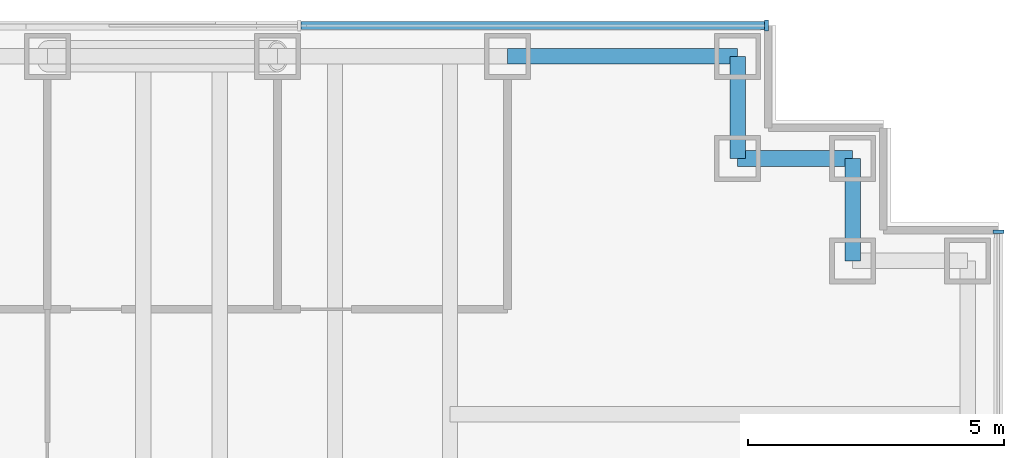
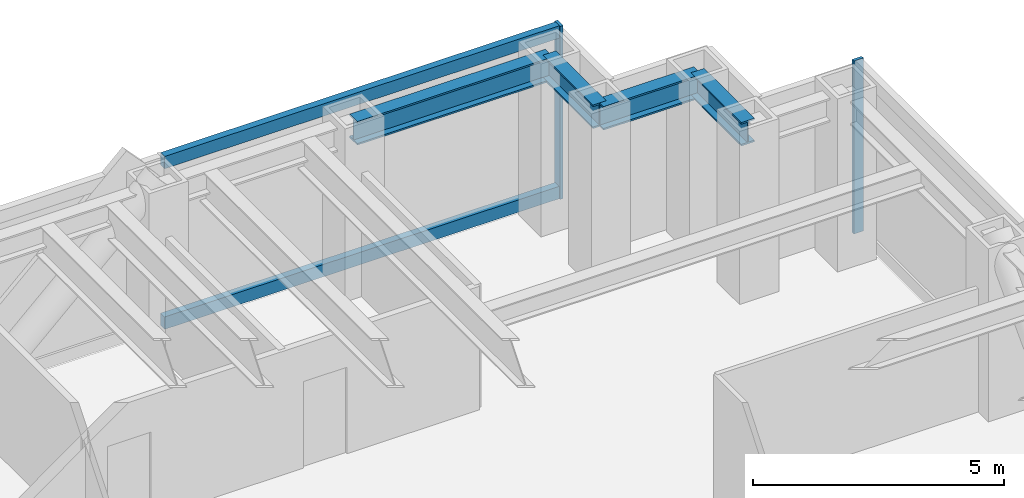
# One storey, part 9 of 16: 4 beams, 4 members, 2 elements without a shape of their own.
"""IFC4 building model written with IfcOpenShell, lengths in metres."""

from ifc_helpers import new_model, si_unit, direction, frame, origin, origin_2d, place, context, subcontext, project, spatial, rectangle, i_section, extrude, material, material_profile, profile_set, type_object, element, aggregate, save


model = new_model("IFC4")

# Units and contexts
model_context = context("Model", 3, precision=1e-05, world=origin(), true_north=direction((0.0, 1.0)))
body_context = subcontext(model_context, "Body", "Model", "MODEL_VIEW")
ifc_project = project(units=[si_unit("LENGTHUNIT", "METRE"), si_unit("AREAUNIT", "SQUARE_METRE"), si_unit("VOLUMEUNIT", "CUBIC_METRE"), si_unit("PLANEANGLEUNIT", "RADIAN"), si_unit("MASSUNIT", "GRAM", prefix="KILO")], contexts=[model_context])

# Site, building, storey
site_placement = place(None, origin())
site = spatial("IfcSite", under=ifc_project, at=site_placement, CompositionType="ELEMENT")
building_placement = place(site_placement, origin())
building = spatial("IfcBuilding", under=site, at=building_placement, Name="Rheinbord Bourse Tower", CompositionType="ELEMENT")
storey_placement = place(building_placement, frame((0.0, 0.0, 171.89990234375)))
storey = spatial("IfcBuildingStorey", under=building, at=storey_placement, Name="L38", CompositionType="ELEMENT", Elevation=171.89990234375)

# Curtain wall, member
ifc_material_1 = material(Name="Dark glass and black aluminium", Category="aluminium")
curtain_wall_type = type_object("IfcCurtainWallType", Name="CW2 DARK GLASS CURTAIN WALL", PredefinedType="USERDEFINED", material=ifc_material_1)
curtain_wall_1_placement = place(storey_placement, origin())
curtain_wall_1 = element("IfcCurtainWall", 1, at=curtain_wall_1_placement, inside=storey, type_object=curtain_wall_type, Name="Curtain wall CW2 E L38", ObjectType="UNITISED CURTAIN WALL", PredefinedType="USERDEFINED")
ifc_material_2 = material(Name="Black anodised aluminium", Category="aluminium")
ifc_material_profile_1 = material_profile(ifc_material_2, rectangle(XDim=0.219970703125, YDim=0.070068359375, at=origin_2d()), Name="CW2 MULLION 70x220")
ifc_profile_set_1 = profile_set([ifc_material_profile_1], Name="Black anodised aluminium")
member_type_1 = type_object("IfcMemberType", Name="CW2 BLACK MULLION", PredefinedType="MULLION", material=ifc_profile_set_1)
member_1_placement = place(storey_placement, frame((72.60009765625, 42.56494140625, 0.0), z_axis=(0.0, 0.0, 1.0), x_axis=(-1.0, 0.0, 0.0)))
member_1 = element("IfcMember", 2, at=member_1_placement, type_object=member_type_1, Name="CW2 mullion 6", PredefinedType="MULLION", context=body_context, shape_type="SweptSolid", body=[
    extrude(rectangle(XDim=0.219970703125, YDim=0.070068359375, at=origin_2d()), origin(), (0.0, 0.0, 1.0), 4.2001953125),
])
aggregate(curtain_wall_1, [member_1])

# Curtain wall, members
curtain_wall_2_placement = place(storey_placement, origin())
curtain_wall_2 = element("IfcCurtainWall", 3, at=curtain_wall_2_placement, inside=storey, type_object=curtain_wall_type, Name="Curtain wall CW2 N L38", ObjectType="UNITISED CURTAIN WALL", PredefinedType="USERDEFINED")
member_2_placement = place(storey_placement, frame((68.06494140625, 46.60009765625, 0.0), z_axis=(0.0, 0.0, 1.0), x_axis=(0.0, -1.0, 0.0)))
member_2 = element("IfcMember", 4, at=member_2_placement, type_object=member_type_1, Name="CW2 mullion 1", PredefinedType="MULLION", context=body_context, shape_type="SweptSolid", body=[
    extrude(rectangle(XDim=0.219970703125, YDim=0.070068359375, at=origin_2d()), origin(), (0.0, 0.0, 1.0), 4.2001953125),
])
ifc_material_3 = material(Name="Black anodised aluminium", Category="aluminium")
ifc_material_profile_2 = material_profile(ifc_material_3, rectangle(XDim=0.159912109375, YDim=0.300048828125, at=origin_2d()), Name="CW2 TRANSOM 300x160")
ifc_profile_set_2 = profile_set([ifc_material_profile_2], Name="Black anodised aluminium")
member_type_2 = type_object("IfcMemberType", Name="CW2 BLACK TRANSOM", PredefinedType="USERDEFINED", material=ifc_profile_set_2)
member_3_placement = place(storey_placement, frame((68.030029296875, 46.60009765625, 0.150146484375), z_axis=(-1.0, 0.0, 0.0), x_axis=(0.0, -1.0, 0.0)))
member_3 = element("IfcMember", 5, at=member_3_placement, type_object=member_type_2, Name="CW2 transom 1.1", ObjectType="TRANSOM", PredefinedType="USERDEFINED", context=body_context, shape_type="SweptSolid", body=[
    extrude(rectangle(XDim=0.159912109375, YDim=0.300048828125, at=origin_2d()), origin(), (0.0, 0.0, 1.0), 9.06640625),
])
member_4_placement = place(storey_placement, frame((68.030029296875, 46.60009765625, 4.050048828125), z_axis=(-1.0, 0.0, 0.0), x_axis=(0.0, -1.0, 0.0)))
member_4 = element("IfcMember", 6, at=member_4_placement, type_object=member_type_2, Name="CW2 transom 1.2", ObjectType="TRANSOM", PredefinedType="USERDEFINED", context=body_context, shape_type="SweptSolid", body=[
    extrude(rectangle(XDim=0.159912109375, YDim=0.300048828125, at=origin_2d()), origin(), (0.0, 0.0, 1.0), 9.06640625),
])
aggregate(curtain_wall_2, [member_2, member_3, member_4])

# Beams
ifc_material_4 = material(Name="Steel S460", Category="steel")
ifc_material_profile_3 = material_profile(ifc_material_4, i_section(OverallWidth=0.305908203125, OverallDepth=0.572021484375, WebThickness=0.02099609375, FlangeThickness=0.0400390625, at=origin_2d()), Name="HEM 550")
ifc_profile_set_3 = profile_set([ifc_material_profile_3], Name="Steel S460")
beam_type = type_object("IfcBeamType", Name="SPANDREL HEM 550", PredefinedType="SPANDREL", material=ifc_profile_set_3)
beam_1_placement = place(storey_placement, frame((69.75, 42.0, 3.754150390625), z_axis=(0.0, 1.0, 0.0), x_axis=(-1.0, 0.0, 0.0)))
element("IfcBeam", 7, at=beam_1_placement, inside=storey, type_object=beam_type, Name="Spandrel NE-B-NE-C under L39", PredefinedType="SPANDREL", context=body_context, shape_type="SweptSolid", body=[
    extrude(i_section(OverallWidth=0.305908203125, OverallDepth=0.572021484375, WebThickness=0.02099609375, FlangeThickness=0.0400390625, at=origin_2d()), origin(), (0.0, 0.0, 1.0), 2.0),
])
beam_2_placement = place(storey_placement, frame((69.75, 44.0, 3.754150390625), z_axis=(-1.0, 0.0, 0.0), x_axis=(0.0, -1.0, 0.0)))
element("IfcBeam", 8, at=beam_2_placement, inside=storey, type_object=beam_type, Name="Spandrel NE-C-NE-D under L39", PredefinedType="SPANDREL", context=body_context, shape_type="SweptSolid", body=[
    extrude(i_section(OverallWidth=0.305908203125, OverallDepth=0.572021484375, WebThickness=0.02099609375, FlangeThickness=0.0400390625, at=origin_2d()), origin(), (0.0, 0.0, 1.0), 2.25),
])
beam_3_placement = place(storey_placement, frame((67.5, 44.0, 3.754150390625), z_axis=(0.0, 1.0, 0.0), x_axis=(-1.0, 0.0, 0.0)))
element("IfcBeam", 9, at=beam_3_placement, inside=storey, type_object=beam_type, Name="Spandrel NE-D-NE-E under L39", PredefinedType="SPANDREL", context=body_context, shape_type="SweptSolid", body=[
    extrude(i_section(OverallWidth=0.305908203125, OverallDepth=0.572021484375, WebThickness=0.02099609375, FlangeThickness=0.0400390625, at=origin_2d()), origin(), (0.0, 0.0, 1.0), 2.0),
])
beam_4_placement = place(storey_placement, frame((67.5, 46.0, 3.754150390625), z_axis=(-1.0, 0.0, 0.0), x_axis=(0.0, -1.0, 0.0)))
element("IfcBeam", 10, at=beam_4_placement, inside=storey, type_object=beam_type, Name="Spandrel NE-E-N-63 under L39", PredefinedType="SPANDREL", context=body_context, shape_type="SweptSolid", body=[
    extrude(i_section(OverallWidth=0.305908203125, OverallDepth=0.572021484375, WebThickness=0.02099609375, FlangeThickness=0.0400390625, at=origin_2d()), origin(), (0.0, 0.0, 1.0), 4.5),
])

save(model, "model.ifc")
